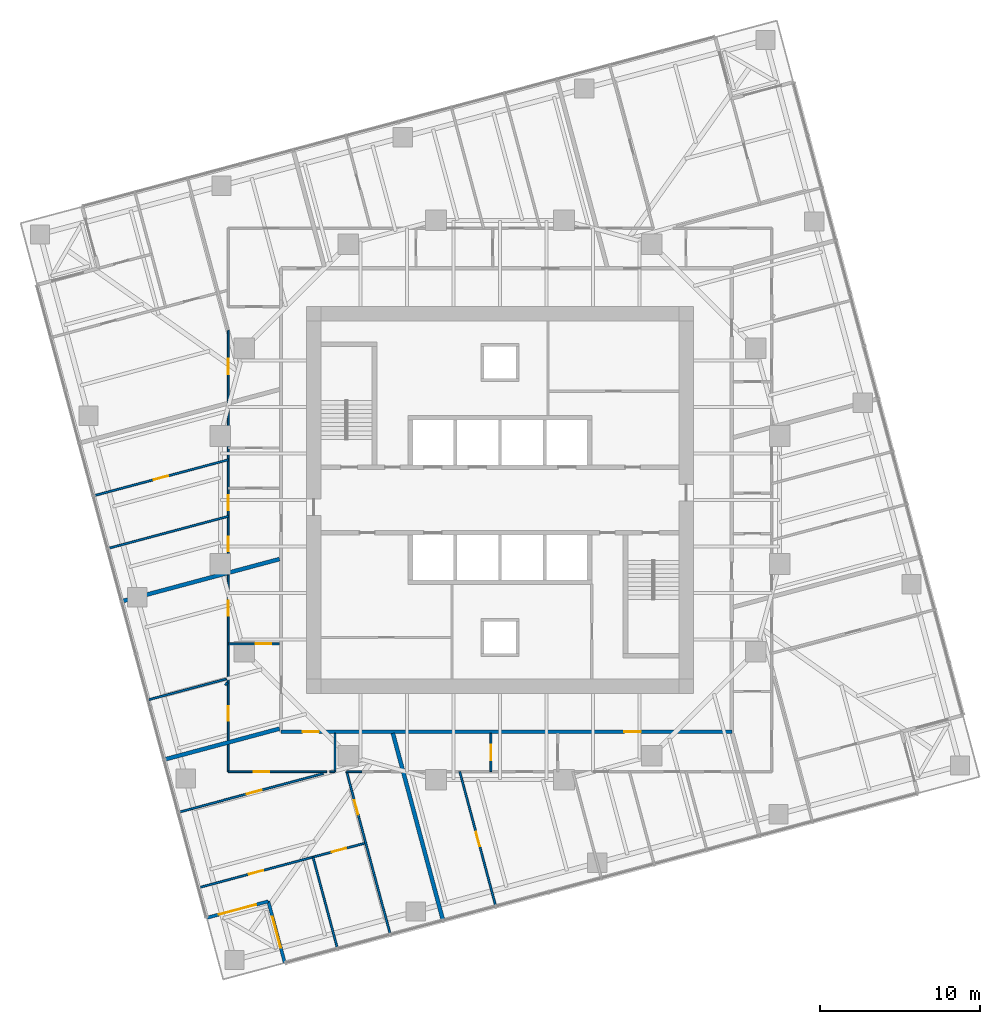
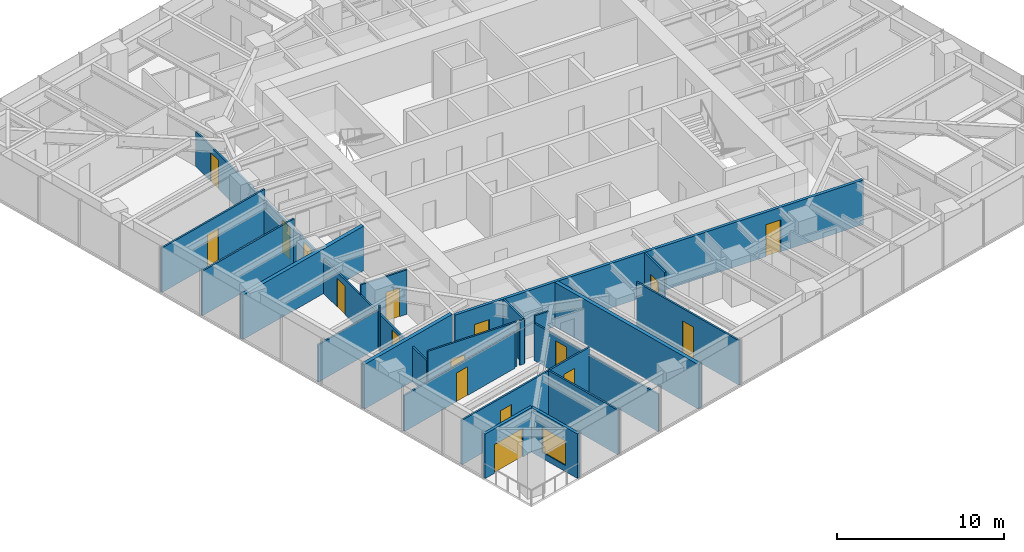
# One storey, part 8 of 14: 22 walls, 17 doors, 1 window, 18 openings.
"""IFC4 building model written with IfcOpenShell, lengths in metres."""

import ifcopenshell
import ifcopenshell.guid

model = None  # the IFC model being written
_history = None  # IfcOwnerHistory: only IFC2X3 demands one
_inside = {}  # id of a spatial element -> (the spatial element, [elements in it])
_under = {}  # id of a project, library or spatial element -> (it, [spatial elements below it])
_declared = {}  # id of a project -> (the project, [libraries it declares])
_typed = {}  # id of a type object -> (the type object, [elements of that type])
_made_of = {}  # id of a material, layer set ... -> (it, [elements and type objects made of it])


def new_model(schema):
    """Start an empty IFC model of exactly this schema.

    Asked for "IFC4X3", IfcOpenShell would pick the latest addendum, in which some entities
    have other attributes; the version numbers below select the first issue.
    IFC2X3 requires an IfcOwnerHistory on every rooted entity: one is made here for all.
    """
    global model, _history
    if schema == "IFC4X3":
        model = ifcopenshell.file(schema_version=(4, 3, 0, 0))
    else:
        model = ifcopenshell.file(schema=schema)
    _inside.clear()
    _under.clear()
    _declared.clear()
    _typed.clear()
    _made_of.clear()
    _history = None
    if model.schema == "IFC2X3":
        org = make("IfcOrganization", Name="unknown")
        user = make(
            "IfcPersonAndOrganization",
            ThePerson=make("IfcPerson", FamilyName="unknown"),
            TheOrganization=org,
        )
        app = make(
            "IfcApplication",
            ApplicationDeveloper=org,
            Version="unknown",
            ApplicationFullName="unknown",
            ApplicationIdentifier="unknown",
        )
        _history = make(
            "IfcOwnerHistory",
            OwningUser=user,
            OwningApplication=app,
            ChangeAction="ADDED",
            CreationDate=0,
        )
    return model


def make(cls, **values):
    """One entity of the class cls with the attributes given. An attribute that is None is left unset."""
    return model.create_entity(
        cls, **{name: value for name, value in values.items() if value is not None}
    )


def rooted(cls, **values):
    """An entity with a GlobalId (a new one), such as an element, a storey or a relation."""
    return make(cls, GlobalId=ifcopenshell.guid.new(), OwnerHistory=_history, **values)


def si_unit(unit_type, name, prefix=None):
    """IfcSIUnit, for example si_unit("LENGTHUNIT", "METRE", prefix="MILLI")."""
    return make("IfcSIUnit", UnitType=unit_type, Prefix=prefix, Name=name)


def assignment(units):
    """IfcUnitAssignment: the units of a project."""
    return None if units is None else make("IfcUnitAssignment", Units=units)


def point(xyz):
    """IfcCartesianPoint."""
    return None if xyz is None else make("IfcCartesianPoint", Coordinates=xyz)


def direction(xyz):
    """IfcDirection."""
    return None if xyz is None else make("IfcDirection", DirectionRatios=xyz)


def frame(location, z_axis=None, x_axis=None):
    """IfcAxis2Placement3D, a coordinate frame: its origin and axes. An axis left out is left unset."""
    return make(
        "IfcAxis2Placement3D",
        Location=point(location),
        Axis=direction(z_axis),
        RefDirection=direction(x_axis),
    )


def frame_2d(location, x_axis=None):
    """IfcAxis2Placement2D, a coordinate frame in the plane: its origin and x axis."""
    return make(
        "IfcAxis2Placement2D", Location=point(location), RefDirection=direction(x_axis)
    )


def origin():
    """The frame at (0, 0, 0) with its axes left unset."""
    return frame((0.0, 0.0, 0.0))


def place(relative_to, where):
    """IfcLocalPlacement: puts the frame where relative to a parent placement (None: the world)."""
    return make(
        "IfcLocalPlacement", PlacementRelTo=relative_to, RelativePlacement=where
    )


def context(
    kind, dimensions, precision=None, world=None, true_north=None, identifier=None
):
    """IfcGeometricRepresentationContext, for example the 3D "Model" context."""
    return make(
        "IfcGeometricRepresentationContext",
        ContextIdentifier=identifier,
        ContextType=kind,
        CoordinateSpaceDimension=dimensions,
        Precision=precision,
        WorldCoordinateSystem=world,
        TrueNorth=true_north,
    )


def subcontext(parent, identifier, kind, view, scale=None):
    """IfcGeometricRepresentationSubContext, for example "Body" below "Model"."""
    return make(
        "IfcGeometricRepresentationSubContext",
        ContextIdentifier=identifier,
        ContextType=kind,
        ParentContext=parent,
        TargetScale=scale,
        TargetView=view,
    )


def project(units=None, contexts=None):
    """IfcProject with its units and contexts."""
    return rooted(
        "IfcProject",
        Name="project",
        RepresentationContexts=contexts,
        UnitsInContext=assignment(units),
    )


def spatial(cls, under=None, at=None, **own):
    """A site, building, storey or space (cls), placed at a placement, below another one or the project."""
    s = rooted(cls, ObjectPlacement=at, **own)
    if under is not None:
        _under.setdefault(under.id(), (under, []))[1].append(s)
    return s


def profile(cls, at=None, kind="AREA", **sizes):
    """A parametric profile (cls). Its sizes go by their IFC names, for example OverallWidth=200.0."""
    return make(cls, ProfileType=kind, Position=at, **sizes)


def rectangle(**sizes):
    """IfcRectangleProfileDef."""
    return profile("IfcRectangleProfileDef", **sizes)


def extrude(swept, where, along, depth):
    """IfcExtrudedAreaSolid: the profile swept, set in the frame where, extruded along a direction by depth."""
    return make(
        "IfcExtrudedAreaSolid",
        SweptArea=swept,
        Position=where,
        ExtrudedDirection=direction(along),
        Depth=depth,
    )


def shape(context_of_items, identifier, shape_type, items):
    """IfcShapeRepresentation: the items that make up one representation, for example the "Body"."""
    return make(
        "IfcShapeRepresentation",
        ContextOfItems=context_of_items,
        RepresentationIdentifier=identifier,
        RepresentationType=shape_type,
        Items=items,
    )


def material(Name=None, Category=None):
    """IfcMaterial."""
    return make("IfcMaterial", Name=Name, Category=Category)


def layer(
    of_material, thickness, ventilated=None, Name=None, Category=None, Priority=None
):
    """IfcMaterialLayer: one layer of a wall or slab, of a material (None: an air gap)."""
    return make(
        "IfcMaterialLayer",
        Material=of_material,
        LayerThickness=thickness,
        IsVentilated=ventilated,
        Name=Name,
        Category=Category,
        Priority=Priority,
    )


def layer_set(layers, Name=None):
    """IfcMaterialLayerSet."""
    return make("IfcMaterialLayerSet", MaterialLayers=layers, LayerSetName=Name)


def made_of(thing, what):
    """Note that an element or type object is made of a material, layer set ...; save() writes the relation."""
    if what is not None:
        _made_of.setdefault(what.id(), (what, []))[1].append(thing)
    return thing


def type_object(cls, material=None, **own):
    """A type object (cls), such as IfcWallType, which elements share."""
    return made_of(rooted(cls, **own), material)


def element(
    cls,
    number,
    at=None,
    inside=None,
    cuts=None,
    type_object=None,
    material=None,
    context=None,
    identifier="Body",
    shape_type=None,
    held_by="IfcProductDefinitionShape",
    body=None,
    shapes=None,
    **own,
):
    """One element of the class cls, such as IfcWall. Its Tag is "e" and its number.

    at: its placement. inside: the storey or other place that contains it. cuts: it is an
    opening in that element (IfcRelVoidsElement). A single representation is given by context,
    identifier, shape_type and body (its items); several are given by shapes. held_by: the class
    of the entity that holds the representations. save() writes the other relations.
    """
    e = rooted(cls, Tag="e%d" % number, ObjectPlacement=at, **own)
    if body is not None:
        shapes = [shape(context, identifier, shape_type, body)]
    if shapes is not None:
        e.Representation = make(held_by, Representations=shapes)
    if inside is not None:
        _inside.setdefault(inside.id(), (inside, []))[1].append(e)
    if cuts is not None:
        rooted(
            "IfcRelVoidsElement", RelatingBuildingElement=cuts, RelatedOpeningElement=e
        )
    if type_object is not None:
        _typed.setdefault(type_object.id(), (type_object, []))[1].append(e)
    return made_of(e, material)


def fill(opening, filler):
    """IfcRelFillsElement: the door or window that sits in an opening."""
    return rooted(
        "IfcRelFillsElement",
        RelatingOpeningElement=opening,
        RelatedBuildingElement=filler,
    )


def aggregate(whole, parts):
    """IfcRelAggregates: a whole, such as a stair, and the parts it consists of."""
    return rooted("IfcRelAggregates", RelatingObject=whole, RelatedObjects=parts)


def save(model, path):
    """Write the relations noted so far, then the file.

    IfcRelAggregates (storeys below a building ...), IfcRelContainedInSpatialStructure (elements
    in a storey), IfcRelDefinesByType, IfcRelAssociatesMaterial and IfcRelDeclares: one each for
    every whole, place, type object, material and project.
    """
    for whole, parts in _under.values():
        aggregate(whole, parts)
    for where, things in _inside.values():
        rooted(
            "IfcRelContainedInSpatialStructure",
            RelatedElements=things,
            RelatingStructure=where,
        )
    for kind, things in _typed.values():
        rooted("IfcRelDefinesByType", RelatedObjects=things, RelatingType=kind)
    for what, things in _made_of.values():
        rooted("IfcRelAssociatesMaterial", RelatedObjects=things, RelatingMaterial=what)
    for by, libraries in _declared.values():
        rooted("IfcRelDeclares", RelatingContext=by, RelatedDefinitions=libraries)
    model.write(path)


model = new_model("IFC4")

# Units and contexts
model_context = context("Model", 3, precision=1e-05, world=origin(), true_north=direction((0.0, 1.0)))
body_context = subcontext(model_context, "Body", "Model", "MODEL_VIEW")
ifc_project = project(units=[si_unit("LENGTHUNIT", "METRE"), si_unit("AREAUNIT", "SQUARE_METRE"), si_unit("VOLUMEUNIT", "CUBIC_METRE"), si_unit("PLANEANGLEUNIT", "RADIAN"), si_unit("MASSUNIT", "GRAM", prefix="KILO")], contexts=[model_context])

# Site, building, storey
site_placement = place(None, origin())
site = spatial("IfcSite", under=ifc_project, at=site_placement, CompositionType="ELEMENT")
building_placement = place(site_placement, origin())
building = spatial("IfcBuilding", under=site, at=building_placement, Name="Torsade Residences", CompositionType="ELEMENT")
storey_placement = place(building_placement, frame((0.0, 0.0, 111.60009765625)))
storey = spatial("IfcBuildingStorey", under=building, at=storey_placement, Name="L30", CompositionType="ELEMENT", Elevation=111.60009765625)

# Wall, openings, doors
ifc_material_1 = material(Name="Plasterboard on steel stud", Category="steel")
ifc_layer_1 = layer(ifc_material_1, 0.199951171875)
ifc_layer_set_1 = layer_set([ifc_layer_1], Name="Plasterboard on steel stud")
wall_type_1 = type_object("IfcWallType", Name="CORRIDOR WALL 200", PredefinedType="PARTITIONING", material=ifc_layer_set_1)
wall_1_placement = place(storey_placement, frame((26.300048828125, 15.5, 0.0), z_axis=(0.0, 0.0, 1.0), x_axis=(1.0, 0.0, 0.0)))
wall_1 = element("IfcWall", 1, at=wall_1_placement, inside=storey, type_object=wall_type_1, Name="Corridor wall L30", PredefinedType="PARTITIONING", context=body_context, shape_type="SweptSolid", body=[
    extrude(rectangle(XDim=28.199951171875, YDim=0.199951171875, at=frame_2d((14.10009765625, 0.0))), origin(), (0.0, 0.0, 1.0), 3.25),
])
opening_1_placement = place(wall_1_placement, frame((21.473876953125, 0.0, 0.0)))
opening_1 = element("IfcOpeningElement", 2, at=opening_1_placement, cuts=wall_1, Name="Opening D01", PredefinedType="OPENING", context=body_context, shape_type="SweptSolid", body=[
    extrude(rectangle(XDim=1.02001953125, YDim=2.340087890625, at=frame_2d((0.510009765625, 1.169921875))), frame((0.0, 0.10986328125, 0.0), z_axis=(0.0, -1.0, 0.0), x_axis=(1.0, 0.0, 0.0)), (0.0, 0.0, 1.0), 0.219970703125),
])
opening_2_placement = place(wall_1_placement, frame((1.35302734375, 0.0, 0.0)))
opening_2 = element("IfcOpeningElement", 3, at=opening_2_placement, cuts=wall_1, Name="Opening D01L", PredefinedType="OPENING", context=body_context, shape_type="SweptSolid", body=[
    extrude(rectangle(XDim=1.02001953125, YDim=2.10009765625, at=frame_2d((0.510009765625, 1.050048828125))), frame((0.0, 0.10986328125, 0.0), z_axis=(0.0, -1.0, 0.0), x_axis=(1.0, 0.0, 0.0)), (0.0, 0.0, 1.0), 0.219970703125),
])
ifc_material_2 = material(Name="Solid-core timber fire door", Category="wood")
door_type_1 = type_object("IfcDoorType", Name="APARTMENT ENTRY DOOR 1020x2100", OperationType="NOTDEFINED", PredefinedType="DOOR", material=ifc_material_2)
door_1_placement = place(opening_2_placement, origin())
door_1 = element("IfcDoor", 4, at=door_1_placement, inside=storey, type_object=door_type_1, Name="Door Residential corridor to Kitchen and dining", OperationType="SINGLE_SWING_LEFT", OverallHeight=2.10009765625, OverallWidth=1.02001953125, PredefinedType="DOOR", context=body_context, shape_type="SweptSolid", body=[
    extrude(rectangle(XDim=1.02001953125, YDim=2.10009765625, at=frame_2d((0.510009765625, 1.050048828125))), frame((0.0, 0.02490234375, 0.0), z_axis=(0.0, -1.0, 0.0), x_axis=(1.0, 0.0, 0.0)), (0.0, 0.0, 1.0), 0.050048828125),
])
fill(opening_2, door_1)
ifc_material_3 = material(Name="Solid-core timber fire door", Category="wood")
door_type_2 = type_object("IfcDoorType", Name="APARTMENT ENTRY DOOR 1020x2340", OperationType="NOTDEFINED", PredefinedType="DOOR", material=ifc_material_3)
door_2_placement = place(opening_1_placement, origin())
door_2 = element("IfcDoor", 5, at=door_2_placement, inside=storey, type_object=door_type_2, Name="Door Residential corridor to Kitchen and dining", OperationType="SINGLE_SWING_LEFT", OverallHeight=2.340087890625, OverallWidth=1.02001953125, PredefinedType="DOOR", context=body_context, shape_type="SweptSolid", body=[
    extrude(rectangle(XDim=1.02001953125, YDim=2.340087890625, at=frame_2d((0.510009765625, 1.169921875))), frame((0.0, 0.02490234375, 0.0), z_axis=(0.0, -1.0, 0.0), x_axis=(1.0, 0.0, 0.0)), (0.0, 0.0, 1.0), 0.050048828125),
])
fill(opening_1, door_2)

# Wall, opening, door
ifc_material_4 = material(Name="Plasterboard on steel stud", Category="steel")
ifc_layer_2 = layer(ifc_material_4, 0.1201171875)
ifc_layer_set_2 = layer_set([ifc_layer_2], Name="Plasterboard on steel stud")
wall_type_2 = type_object("IfcWallType", Name="PARTITION 120", PredefinedType="PARTITIONING", material=ifc_layer_set_2)
wall_2_placement = place(storey_placement, frame((23.0, 21.001953125, 0.0), z_axis=(0.0, 0.0, 1.0), x_axis=(1.0, 0.0, 0.0)))
wall_2 = element("IfcWall", 6, at=wall_2_placement, inside=storey, type_object=wall_type_2, Name="Partition L30", PredefinedType="PARTITIONING", context=body_context, shape_type="SweptSolid", body=[
    extrude(rectangle(XDim=3.199951171875, YDim=0.1201171875, at=frame_2d((1.60009765625, 0.0))), origin(), (0.0, 0.0, 1.0), 3.25),
])
opening_3_placement = place(wall_2_placement, frame((1.719970703125, 0.0, 0.0)))
opening_3 = element("IfcOpeningElement", 7, at=opening_3_placement, cuts=wall_2, Name="Opening D05", PredefinedType="OPENING", context=body_context, shape_type="SweptSolid", body=[
    extrude(rectangle(XDim=0.9599609375, YDim=2.10009765625, at=frame_2d((0.47998046875, 1.050048828125))), frame((0.0, 0.070068359375, 0.0), z_axis=(0.0, -1.0, 0.0), x_axis=(1.0, 0.0, 0.0)), (0.0, 0.0, 1.0), 0.14013671875),
])
ifc_material_5 = material(Name="Hollow-core timber door in a steel cavity frame", Category="steel")
door_type_3 = type_object("IfcDoorType", Name="BATHROOM CAVITY SLIDING DOOR 960", OperationType="SLIDING_TO_LEFT", PredefinedType="DOOR", material=ifc_material_5)
door_3_placement = place(opening_3_placement, origin())
door_3 = element("IfcDoor", 8, at=door_3_placement, inside=storey, type_object=door_type_3, Name="Door Kitchen and dining to Bathroom", OperationType="SLIDING_TO_LEFT", OverallHeight=2.10009765625, OverallWidth=0.9599609375, PredefinedType="DOOR", context=body_context, shape_type="SweptSolid", body=[
    extrude(rectangle(XDim=0.9599609375, YDim=2.10009765625, at=frame_2d((0.47998046875, 1.050048828125))), frame((0.0, 0.02490234375, 0.0), z_axis=(0.0, -1.0, 0.0), x_axis=(1.0, 0.0, 0.0)), (0.0, 0.0, 1.0), 0.050048828125),
])
fill(opening_3, door_3)

# Wall, openings, doors
wall_3_placement = place(storey_placement, frame((23.0, 13.0, 0.0), z_axis=(0.0, 0.0, 1.0), x_axis=(0.0, 1.0, 0.0)))
wall_3 = element("IfcWall", 9, at=wall_3_placement, inside=storey, type_object=wall_type_2, Name="Partition L30", PredefinedType="PARTITIONING", context=body_context, shape_type="SweptSolid", body=[
    extrude(rectangle(XDim=27.6396484375, YDim=0.1201171875, at=frame_2d((13.81982421875, 0.0))), origin(), (0.0, 0.0, 1.0), 2.5498046875),
])
opening_4_placement = place(wall_3_placement, frame((3.19189453125, 0.0, 0.0)))
opening_4 = element("IfcOpeningElement", 10, at=opening_4_placement, cuts=wall_3, Name="Opening D02", PredefinedType="OPENING", context=body_context, shape_type="SweptSolid", body=[
    extrude(rectangle(XDim=0.919921875, YDim=2.340087890625, at=frame_2d((0.4599609375, 1.169921875))), frame((0.0, 0.070068359375, 0.0), z_axis=(0.0, -1.0, 0.0), x_axis=(1.0, 0.0, 0.0)), (0.0, 0.0, 1.0), 0.14013671875),
])
opening_5_placement = place(wall_3_placement, frame((13.779296875, 0.0, 0.0)))
opening_5 = element("IfcOpeningElement", 11, at=opening_5_placement, cuts=wall_3, Name="Opening D02", PredefinedType="OPENING", context=body_context, shape_type="SweptSolid", body=[
    extrude(rectangle(XDim=0.919921875, YDim=2.340087890625, at=frame_2d((0.4599609375, 1.169921875))), frame((0.0, 0.070068359375, 0.0), z_axis=(0.0, -1.0, 0.0), x_axis=(1.0, 0.0, 0.0)), (0.0, 0.0, 1.0), 0.14013671875),
])
opening_6_placement = place(wall_3_placement, frame((16.373779296875, 0.0, 0.0)))
opening_6 = element("IfcOpeningElement", 12, at=opening_6_placement, cuts=wall_3, Name="Opening D02", PredefinedType="OPENING", context=body_context, shape_type="SweptSolid", body=[
    extrude(rectangle(XDim=0.919921875, YDim=2.340087890625, at=frame_2d((0.4599609375, 1.169921875))), frame((0.0, 0.070068359375, 0.0), z_axis=(0.0, -1.0, 0.0), x_axis=(1.0, 0.0, 0.0)), (0.0, 0.0, 1.0), 0.14013671875),
])
opening_7_placement = place(wall_3_placement, frame((9.743408203125, 0.0, 0.0)))
opening_7 = element("IfcOpeningElement", 13, at=opening_7_placement, cuts=wall_3, Name="Opening D05", PredefinedType="OPENING", context=body_context, shape_type="SweptSolid", body=[
    extrude(rectangle(XDim=0.9599609375, YDim=2.10009765625, at=frame_2d((0.47998046875, 1.050048828125))), frame((0.0, 0.070068359375, 0.0), z_axis=(0.0, -1.0, 0.0), x_axis=(1.0, 0.0, 0.0)), (0.0, 0.0, 1.0), 0.14013671875),
])
opening_8_placement = place(wall_3_placement, frame((24.87939453125, 0.0, 0.0)))
opening_8 = element("IfcOpeningElement", 14, at=opening_8_placement, cuts=wall_3, Name="Opening D05", PredefinedType="OPENING", context=body_context, shape_type="SweptSolid", body=[
    extrude(rectangle(XDim=0.9599609375, YDim=2.10009765625, at=frame_2d((0.47998046875, 1.050048828125))), frame((0.0, 0.070068359375, 0.0), z_axis=(0.0, -1.0, 0.0), x_axis=(1.0, 0.0, 0.0)), (0.0, 0.0, 1.0), 0.14013671875),
])
door_4_placement = place(opening_7_placement, origin())
door_4 = element("IfcDoor", 15, at=door_4_placement, inside=storey, type_object=door_type_3, Name="Door Bathroom to Living room", OperationType="SLIDING_TO_LEFT", OverallHeight=2.10009765625, OverallWidth=0.9599609375, PredefinedType="DOOR", context=body_context, shape_type="SweptSolid", body=[
    extrude(rectangle(XDim=0.9599609375, YDim=2.10009765625, at=frame_2d((0.47998046875, 1.050048828125))), frame((0.0, 0.02490234375, 0.0), z_axis=(0.0, -1.0, 0.0), x_axis=(1.0, 0.0, 0.0)), (0.0, 0.0, 1.0), 0.050048828125),
])
fill(opening_7, door_4)
door_5_placement = place(opening_8_placement, origin())
door_5 = element("IfcDoor", 16, at=door_5_placement, inside=storey, type_object=door_type_3, Name="Door Bathroom to Living room", OperationType="SLIDING_TO_LEFT", OverallHeight=2.10009765625, OverallWidth=0.9599609375, PredefinedType="DOOR", context=body_context, shape_type="SweptSolid", body=[
    extrude(rectangle(XDim=0.9599609375, YDim=2.10009765625, at=frame_2d((0.47998046875, 1.050048828125))), frame((0.0, 0.02490234375, 0.0), z_axis=(0.0, -1.0, 0.0), x_axis=(1.0, 0.0, 0.0)), (0.0, 0.0, 1.0), 0.050048828125),
])
fill(opening_8, door_5)
ifc_material_6 = material(Name="Hollow-core timber door", Category="wood")
door_type_4 = type_object("IfcDoorType", Name="INTERNAL DOOR 920x2340", OperationType="NOTDEFINED", PredefinedType="DOOR", material=ifc_material_6)
door_6_placement = place(opening_4_placement, origin())
door_6 = element("IfcDoor", 17, at=door_6_placement, inside=storey, type_object=door_type_4, Name="Door Kitchen and dining to Bedroom 1", OperationType="SINGLE_SWING_RIGHT", OverallHeight=2.340087890625, OverallWidth=0.919921875, PredefinedType="DOOR", context=body_context, shape_type="SweptSolid", body=[
    extrude(rectangle(XDim=0.919921875, YDim=2.340087890625, at=frame_2d((0.4599609375, 1.169921875))), frame((0.0, 0.02490234375, 0.0), z_axis=(0.0, -1.0, 0.0), x_axis=(1.0, 0.0, 0.0)), (0.0, 0.0, 1.0), 0.050048828125),
])
fill(opening_4, door_6)
door_7_placement = place(opening_5_placement, origin())
door_7 = element("IfcDoor", 18, at=door_7_placement, inside=storey, type_object=door_type_4, Name="Door Kitchen and dining to Bedroom 2", OperationType="SINGLE_SWING_LEFT", OverallHeight=2.340087890625, OverallWidth=0.919921875, PredefinedType="DOOR", context=body_context, shape_type="SweptSolid", body=[
    extrude(rectangle(XDim=0.919921875, YDim=2.340087890625, at=frame_2d((0.4599609375, 1.169921875))), frame((0.0, 0.02490234375, 0.0), z_axis=(0.0, -1.0, 0.0), x_axis=(1.0, 0.0, 0.0)), (0.0, 0.0, 1.0), 0.050048828125),
])
fill(opening_5, door_7)
door_8_placement = place(opening_6_placement, origin())
door_8 = element("IfcDoor", 19, at=door_8_placement, inside=storey, type_object=door_type_4, Name="Door Kitchen and dining to Bedroom 1", OperationType="SINGLE_SWING_LEFT", OverallHeight=2.340087890625, OverallWidth=0.919921875, PredefinedType="DOOR", context=body_context, shape_type="SweptSolid", body=[
    extrude(rectangle(XDim=0.919921875, YDim=2.340087890625, at=frame_2d((0.4599609375, 1.169921875))), frame((0.0, 0.02490234375, 0.0), z_axis=(0.0, -1.0, 0.0), x_axis=(1.0, 0.0, 0.0)), (0.0, 0.0, 1.0), 0.050048828125),
])
fill(opening_6, door_8)

# Walls
wall_4_placement = place(storey_placement, frame((22.813232421875, 18.42041015625, 0.0), z_axis=(0.0, 0.0, 1.0), x_axis=(0.609039064162, 0.793140226142, 0.0)))
element("IfcWall", 20, at=wall_4_placement, inside=storey, type_object=wall_type_2, Name="Partition L30", PredefinedType="PARTITIONING", context=body_context, shape_type="SweptSolid", body=[
    extrude(rectangle(XDim=0.2109375, YDim=0.1201171875, at=frame_2d((0.10546875, 0.0))), origin(), (0.0, 0.0, 1.0), 3.25),
])
wall_5_placement = place(storey_placement, frame((22.883544921875, 18.80517578125, 0.0), z_axis=(0.0, 0.0, 1.0), x_axis=(-0.965921615375, -0.258834759935, 0.0)))
element("IfcWall", 21, at=wall_5_placement, inside=storey, type_object=wall_type_2, Name="Partition L30", PredefinedType="PARTITIONING", context=body_context, shape_type="SweptSolid", body=[
    extrude(rectangle(XDim=5.029296875, YDim=0.1201171875, at=frame_2d((2.5146484375, 0.0))), origin(), (0.0, 0.0, 1.0), 2.721923828125),
])
wall_6_placement = place(storey_placement, frame((29.676025390625, 15.39990234375, 0.0), z_axis=(0.0, 0.0, 1.0), x_axis=(0.0, -1.0, 0.0)))
element("IfcWall", 22, at=wall_6_placement, inside=storey, type_object=wall_type_2, Name="Partition L30", PredefinedType="PARTITIONING", context=body_context, shape_type="SweptSolid", body=[
    extrude(rectangle(XDim=2.39990234375, YDim=0.1201171875, at=frame_2d((1.199951171875, 0.0))), origin(), (0.0, 0.0, 1.0), 3.25),
])

# Wall, opening, door
wall_7_placement = place(storey_placement, frame((29.147216796875, 13.0, 0.0), z_axis=(0.0, 0.0, 1.0), x_axis=(-1.0, 0.0, 0.0)))
wall_7 = element("IfcWall", 23, at=wall_7_placement, inside=storey, type_object=wall_type_2, Name="Partition L30", PredefinedType="PARTITIONING", context=body_context, shape_type="SweptSolid", body=[
    extrude(rectangle(XDim=6.147216796875, YDim=0.1201171875, at=frame_2d((3.07373046875, 0.0))), origin(), (0.0, 0.0, 1.0), 3.25),
])
opening_9_placement = place(wall_7_placement, frame((3.591064453125, 0.0, 0.0)))
opening_9 = element("IfcOpeningElement", 24, at=opening_9_placement, cuts=wall_7, Name="Opening D05", PredefinedType="OPENING", context=body_context, shape_type="SweptSolid", body=[
    extrude(rectangle(XDim=0.9599609375, YDim=2.10009765625, at=frame_2d((0.47998046875, 1.050048828125))), frame((0.0, 0.070068359375, 0.0), z_axis=(0.0, -1.0, 0.0), x_axis=(1.0, 0.0, 0.0)), (0.0, 0.0, 1.0), 0.14013671875),
])
door_9_placement = place(opening_9_placement, origin())
door_9 = element("IfcDoor", 25, at=door_9_placement, inside=storey, type_object=door_type_3, Name="Door Kitchen and dining to Bathroom", OperationType="SLIDING_TO_LEFT", OverallHeight=2.10009765625, OverallWidth=0.9599609375, PredefinedType="DOOR", context=body_context, shape_type="SweptSolid", body=[
    extrude(rectangle(XDim=0.9599609375, YDim=2.10009765625, at=frame_2d((0.47998046875, 1.050048828125))), frame((0.0, 0.02490234375, 0.0), z_axis=(0.0, -1.0, 0.0), x_axis=(1.0, 0.0, 0.0)), (0.0, 0.0, 1.0), 0.050048828125),
])
fill(opening_9, door_9)

wall_8_placement = place(storey_placement, frame((30.406494140625, 13.0, 0.0), z_axis=(0.0, 0.0, 1.0), x_axis=(0.258797552287, -0.965931585015, 0.0)))
wall_8 = element("IfcWall", 26, at=wall_8_placement, inside=storey, type_object=wall_type_2, Name="Partition L30", PredefinedType="PARTITIONING", context=body_context, shape_type="SweptSolid", body=[
    extrude(rectangle(XDim=10.522216796875, YDim=0.1201171875, at=frame_2d((5.26123046875, 0.0))), origin(), (0.0, 0.0, 1.0), 2.721923828125),
])
opening_10_placement = place(wall_8_placement, frame((1.846435546875, 0.0, 0.0)))
opening_10 = element("IfcOpeningElement", 27, at=opening_10_placement, cuts=wall_8, Name="Opening D02", PredefinedType="OPENING", context=body_context, shape_type="SweptSolid", body=[
    extrude(rectangle(XDim=0.919921875, YDim=2.340087890625, at=frame_2d((0.4599609375, 1.169921875))), frame((0.0, 0.070068359375, 0.0), z_axis=(0.0, -1.0, 0.0), x_axis=(1.0, 0.0, 0.0)), (0.0, 0.0, 1.0), 0.14013671875),
])
door_10_placement = place(opening_10_placement, origin())
door_10 = element("IfcDoor", 28, at=door_10_placement, inside=storey, type_object=door_type_4, Name="Door Living room to Bedroom 1", OperationType="SINGLE_SWING_LEFT", OverallHeight=2.340087890625, OverallWidth=0.919921875, PredefinedType="DOOR", context=body_context, shape_type="SweptSolid", body=[
    extrude(rectangle(XDim=0.919921875, YDim=2.340087890625, at=frame_2d((0.4599609375, 1.169921875))), frame((0.0, 0.02490234375, 0.0), z_axis=(0.0, -1.0, 0.0), x_axis=(1.0, 0.0, 0.0)), (0.0, 0.0, 1.0), 0.050048828125),
])
fill(opening_10, door_10)

# Wall, openings, doors
wall_9_placement = place(storey_placement, frame((31.60009765625, 8.54443359375, 0.0), z_axis=(0.0, 0.0, 1.0), x_axis=(-0.965927151587, -0.258814098973, 0.0)))
wall_9 = element("IfcWall", 29, at=wall_9_placement, inside=storey, type_object=wall_type_2, Name="Partition L30", PredefinedType="PARTITIONING", context=body_context, shape_type="SweptSolid", body=[
    extrude(rectangle(XDim=10.793212890625, YDim=0.1201171875, at=frame_2d((5.396484375, 0.0))), origin(), (0.0, 0.0, 1.0), 3.25),
])
opening_11_placement = place(wall_9_placement, frame((6.639892578125, 0.0, 0.0)))
opening_11 = element("IfcOpeningElement", 30, at=opening_11_placement, cuts=wall_9, Name="Opening D02", PredefinedType="OPENING", context=body_context, shape_type="SweptSolid", body=[
    extrude(rectangle(XDim=0.919921875, YDim=2.340087890625, at=frame_2d((0.4599609375, 1.169921875))), frame((0.0, 0.070068359375, 0.0), z_axis=(0.0, -1.0, 0.0), x_axis=(1.0, 0.0, 0.0)), (0.0, 0.0, 1.0), 0.14013671875),
])
opening_12_placement = place(wall_9_placement, frame((1.273193359375, 0.0, 0.0)))
opening_12 = element("IfcOpeningElement", 31, at=opening_12_placement, cuts=wall_9, Name="Opening D02", PredefinedType="OPENING", context=body_context, shape_type="SweptSolid", body=[
    extrude(rectangle(XDim=0.919921875, YDim=2.340087890625, at=frame_2d((0.4599609375, 1.169921875))), frame((0.0, 0.070068359375, 0.0), z_axis=(0.0, -1.0, 0.0), x_axis=(1.0, 0.0, 0.0)), (0.0, 0.0, 1.0), 0.14013671875),
])
door_11_placement = place(opening_11_placement, origin())
door_11 = element("IfcDoor", 32, at=door_11_placement, inside=storey, type_object=door_type_4, Name="Door Living room to Bedroom 2", OperationType="SINGLE_SWING_LEFT", OverallHeight=2.340087890625, OverallWidth=0.919921875, PredefinedType="DOOR", context=body_context, shape_type="SweptSolid", body=[
    extrude(rectangle(XDim=0.919921875, YDim=2.340087890625, at=frame_2d((0.4599609375, 1.169921875))), frame((0.0, 0.02490234375, 0.0), z_axis=(0.0, -1.0, 0.0), x_axis=(1.0, 0.0, 0.0)), (0.0, 0.0, 1.0), 0.050048828125),
])
fill(opening_11, door_11)
door_12_placement = place(opening_12_placement, origin())
door_12 = element("IfcDoor", 33, at=door_12_placement, inside=storey, type_object=door_type_4, Name="Door Living room to Bedroom 3", OperationType="SINGLE_SWING_RIGHT", OverallHeight=2.340087890625, OverallWidth=0.919921875, PredefinedType="DOOR", context=body_context, shape_type="SweptSolid", body=[
    extrude(rectangle(XDim=0.919921875, YDim=2.340087890625, at=frame_2d((0.4599609375, 1.169921875))), frame((0.0, 0.02490234375, 0.0), z_axis=(0.0, -1.0, 0.0), x_axis=(1.0, 0.0, 0.0)), (0.0, 0.0, 1.0), 0.050048828125),
])
fill(opening_12, door_12)

# Wall, opening, door
wall_10_placement = place(storey_placement, frame((19.91064453125, 10.46826171875, 0.0), z_axis=(0.0, 0.0, 1.0), x_axis=(0.965927203676, 0.25881390457, 0.0)))
wall_10 = element("IfcWall", 34, at=wall_10_placement, inside=storey, type_object=wall_type_2, Name="Partition L30", PredefinedType="PARTITIONING", context=body_context, shape_type="SweptSolid", body=[
    extrude(rectangle(XDim=9.356689453125, YDim=0.1201171875, at=frame_2d((4.67822265625, 0.0))), origin(), (0.0, 0.0, 1.0), 2.637939453125),
])
opening_13_placement = place(wall_10_placement, frame((4.390869140625, 0.0, 0.0)))
opening_13 = element("IfcOpeningElement", 35, at=opening_13_placement, cuts=wall_10, Name="Opening D05", PredefinedType="OPENING", context=body_context, shape_type="SweptSolid", body=[
    extrude(rectangle(XDim=0.9599609375, YDim=2.10009765625, at=frame_2d((0.47998046875, 1.050048828125))), frame((0.0, 0.070068359375, 0.0), z_axis=(0.0, -1.0, 0.0), x_axis=(1.0, 0.0, 0.0)), (0.0, 0.0, 1.0), 0.14013671875),
])
door_13_placement = place(opening_13_placement, origin())
door_13 = element("IfcDoor", 36, at=door_13_placement, inside=storey, type_object=door_type_3, Name="Door Bathroom to Living room", OperationType="SLIDING_TO_LEFT", OverallHeight=2.10009765625, OverallWidth=0.9599609375, PredefinedType="DOOR", context=body_context, shape_type="SweptSolid", body=[
    extrude(rectangle(XDim=0.9599609375, YDim=2.10009765625, at=frame_2d((0.47998046875, 1.050048828125))), frame((0.0, 0.02490234375, 0.0), z_axis=(0.0, -1.0, 0.0), x_axis=(1.0, 0.0, 0.0)), (0.0, 0.0, 1.0), 0.050048828125),
])
fill(opening_13, door_13)

# Wall
wall_11_placement = place(storey_placement, frame((28.300048828125, 7.66015625, 0.0), z_axis=(0.0, 0.0, 1.0), x_axis=(0.25882212607, -0.965925000741, 0.0)))
element("IfcWall", 37, at=wall_11_placement, inside=storey, type_object=wall_type_2, Name="Partition L30", PredefinedType="PARTITIONING", context=body_context, shape_type="SweptSolid", body=[
    extrude(rectangle(XDim=5.90966796875, YDim=0.1201171875, at=frame_2d((2.954833984375, 0.0))), origin(), (0.0, 0.0, 1.0), 3.25),
])

# Wall, opening, door
wall_12_placement = place(storey_placement, frame((39.431884765625, 15.39990234375, 0.0), z_axis=(0.0, 0.0, 1.0), x_axis=(0.0, -1.0, 0.0)))
wall_12 = element("IfcWall", 38, at=wall_12_placement, inside=storey, type_object=wall_type_2, Name="Partition L30", PredefinedType="PARTITIONING", context=body_context, shape_type="SweptSolid", body=[
    extrude(rectangle(XDim=2.39990234375, YDim=0.1201171875, at=frame_2d((1.199951171875, 0.0))), origin(), (0.0, 0.0, 1.0), 3.25),
])
opening_14_placement = place(wall_12_placement, frame((0.719970703125, 0.0, 0.0)))
opening_14 = element("IfcOpeningElement", 39, at=opening_14_placement, cuts=wall_12, Name="Opening D05", PredefinedType="OPENING", context=body_context, shape_type="SweptSolid", body=[
    extrude(rectangle(XDim=0.9599609375, YDim=2.10009765625, at=frame_2d((0.47998046875, 1.050048828125))), frame((0.0, 0.070068359375, 0.0), z_axis=(0.0, -1.0, 0.0), x_axis=(1.0, 0.0, 0.0)), (0.0, 0.0, 1.0), 0.14013671875),
])
door_14_placement = place(opening_14_placement, origin())
door_14 = element("IfcDoor", 40, at=door_14_placement, inside=storey, type_object=door_type_3, Name="Door Ensuite to Bathroom", OperationType="SLIDING_TO_LEFT", OverallHeight=2.10009765625, OverallWidth=0.9599609375, PredefinedType="DOOR", context=body_context, shape_type="SweptSolid", body=[
    extrude(rectangle(XDim=0.9599609375, YDim=2.10009765625, at=frame_2d((0.47998046875, 1.050048828125))), frame((0.0, 0.02490234375, 0.0), z_axis=(0.0, -1.0, 0.0), x_axis=(1.0, 0.0, 0.0)), (0.0, 0.0, 1.0), 0.050048828125),
])
fill(opening_14, door_14)

wall_13_placement = place(storey_placement, frame((39.730224609375, 4.604736328125, 0.0), z_axis=(0.0, 0.0, 1.0), x_axis=(-0.258819860698, 0.965925607751, 0.0)))
wall_13 = element("IfcWall", 41, at=wall_13_placement, inside=storey, type_object=wall_type_2, Name="Partition L30", PredefinedType="PARTITIONING", context=body_context, shape_type="SweptSolid", body=[
    extrude(rectangle(XDim=8.69140625, YDim=0.1201171875, at=frame_2d((4.345703125, 0.0))), origin(), (0.0, 0.0, 1.0), 3.25),
])
opening_15_placement = place(wall_13_placement, frame((3.86572265625, 0.0, 0.0)))
opening_15 = element("IfcOpeningElement", 42, at=opening_15_placement, cuts=wall_13, Name="Opening D02", PredefinedType="OPENING", context=body_context, shape_type="SweptSolid", body=[
    extrude(rectangle(XDim=0.919921875, YDim=2.340087890625, at=frame_2d((0.4599609375, 1.169921875))), frame((0.0, 0.070068359375, 0.0), z_axis=(0.0, -1.0, 0.0), x_axis=(1.0, 0.0, 0.0)), (0.0, 0.0, 1.0), 0.14013671875),
])
door_15_placement = place(opening_15_placement, origin())
door_15 = element("IfcDoor", 43, at=door_15_placement, inside=storey, type_object=door_type_4, Name="Door Living room to Bedroom 1", OperationType="SINGLE_SWING_RIGHT", OverallHeight=2.340087890625, OverallWidth=0.919921875, PredefinedType="DOOR", context=body_context, shape_type="SweptSolid", body=[
    extrude(rectangle(XDim=0.919921875, YDim=2.340087890625, at=frame_2d((0.4599609375, 1.169921875))), frame((0.0, 0.02490234375, 0.0), z_axis=(0.0, -1.0, 0.0), x_axis=(1.0, 0.0, 0.0)), (0.0, 0.0, 1.0), 0.050048828125),
])
fill(opening_15, door_15)

wall_14_placement = place(storey_placement, frame((23.0, 32.519287109375, 0.0), z_axis=(0.0, 0.0, 1.0), x_axis=(-0.965925607751, -0.258819860698, 0.0)))
wall_14 = element("IfcWall", 44, at=wall_14_placement, inside=storey, type_object=wall_type_2, Name="Partition L30", PredefinedType="PARTITIONING", context=body_context, shape_type="SweptSolid", body=[
    extrude(rectangle(XDim=8.69140625, YDim=0.1201171875, at=frame_2d((4.345703125, 0.0))), origin(), (0.0, 0.0, 1.0), 3.25),
])
opening_16_placement = place(wall_14_placement, frame((3.90576171875, 0.0, 0.0)))
opening_16 = element("IfcOpeningElement", 45, at=opening_16_placement, cuts=wall_14, Name="Opening D02", PredefinedType="OPENING", context=body_context, shape_type="SweptSolid", body=[
    extrude(rectangle(XDim=0.919921875, YDim=2.340087890625, at=frame_2d((0.4599609375, 1.169921875))), frame((0.0, 0.070068359375, 0.0), z_axis=(0.0, -1.0, 0.0), x_axis=(1.0, 0.0, 0.0)), (0.0, 0.0, 1.0), 0.14013671875),
])
door_16_placement = place(opening_16_placement, origin())
door_16 = element("IfcDoor", 46, at=door_16_placement, inside=storey, type_object=door_type_4, Name="Door Bedroom 1 to Living room", OperationType="SINGLE_SWING_RIGHT", OverallHeight=2.340087890625, OverallWidth=0.919921875, PredefinedType="DOOR", context=body_context, shape_type="SweptSolid", body=[
    extrude(rectangle(XDim=0.919921875, YDim=2.340087890625, at=frame_2d((0.4599609375, 1.169921875))), frame((0.0, 0.02490234375, 0.0), z_axis=(0.0, -1.0, 0.0), x_axis=(1.0, 0.0, 0.0)), (0.0, 0.0, 1.0), 0.050048828125),
])
fill(opening_16, door_16)

# Walls
wall_15_placement = place(storey_placement, frame((23.0, 28.98193359375, 0.0), z_axis=(0.0, 0.0, 1.0), x_axis=(-0.965927309482, -0.258813509689, 0.0)))
element("IfcWall", 47, at=wall_15_placement, inside=storey, type_object=wall_type_2, Name="Partition L30", PredefinedType="PARTITIONING", context=body_context, shape_type="SweptSolid", body=[
    extrude(rectangle(XDim=7.775634765625, YDim=0.1201171875, at=frame_2d((3.8876953125, 0.0))), origin(), (0.0, 0.0, 1.0), 3.25),
])
wall_16_placement = place(storey_placement, frame((29.676025390625, 13.0, 0.0), z_axis=(0.0, 0.0, 1.0), x_axis=(-1.0, 0.0, 0.0)))
element("IfcWall", 48, at=wall_16_placement, inside=storey, type_object=wall_type_2, Name="Partition L30", PredefinedType="PARTITIONING", context=body_context, shape_type="SweptSolid", body=[
    extrude(rectangle(XDim=0.31689453125, YDim=0.1201171875, at=frame_2d((0.158447265625, 0.0))), origin(), (0.0, 0.0, 1.0), 3.25),
])
wall_17_placement = place(storey_placement, frame((31.353515625, 13.0, 0.0), z_axis=(0.0, 0.0, 1.0), x_axis=(-1.0, 0.0, 0.0)))
element("IfcWall", 49, at=wall_17_placement, inside=storey, type_object=wall_type_2, Name="Partition L30", PredefinedType="PARTITIONING", context=body_context, shape_type="SweptSolid", body=[
    extrude(rectangle(XDim=0.947021484375, YDim=0.1201171875, at=frame_2d((0.4736328125, 0.0))), origin(), (0.0, 0.0, 1.0), 3.25),
])
ifc_material_7 = material(Name="Masonry-lined stud party wall", Category="masonry")
ifc_layer_3 = layer(ifc_material_7, 0.25)
ifc_layer_set_3 = layer_set([ifc_layer_3], Name="Masonry-lined stud party wall")
wall_type_3 = type_object("IfcWallType", Name="PARTY WALL 250", PredefinedType="PARTITIONING", material=ifc_layer_set_3)
wall_18_placement = place(storey_placement, frame((36.4404296875, 3.681884765625, 0.0), z_axis=(0.0, 0.0, 1.0), x_axis=(-0.258824223352, 0.965924438766, 0.0)))
element("IfcWall", 50, at=wall_18_placement, inside=storey, type_object=wall_type_3, Name="Party wall L30", PredefinedType="PARTITIONING", context=body_context, shape_type="SweptSolid", body=[
    extrude(rectangle(XDim=12.137939453125, YDim=0.25, at=frame_2d((6.06884765625, 0.0))), origin(), (0.0, 0.0, 1.0), 3.25),
])
wall_19_placement = place(storey_placement, frame((16.334716796875, 23.658935546875, 0.0), z_axis=(0.0, 0.0, 1.0), x_axis=(0.965927365002, 0.258813302479, 0.0)))
element("IfcWall", 51, at=wall_19_placement, inside=storey, type_object=wall_type_3, Name="Party wall L30", PredefinedType="PARTITIONING", context=body_context, shape_type="SweptSolid", body=[
    extrude(rectangle(XDim=10.2197265625, YDim=0.25, at=frame_2d((5.10986328125, 0.0))), origin(), (0.0, 0.0, 1.0), 3.25),
])
wall_20_placement = place(storey_placement, frame((18.98779296875, 13.75830078125, 0.0), z_axis=(0.0, 0.0, 1.0), x_axis=(0.965929532284, 0.258805213744, 0.0)))
element("IfcWall", 52, at=wall_20_placement, inside=storey, type_object=wall_type_3, Name="Party wall L30", PredefinedType="PARTITIONING", context=body_context, shape_type="SweptSolid", body=[
    extrude(rectangle(XDim=7.47314453125, YDim=0.25, at=frame_2d((3.736572265625, 0.0))), origin(), (0.0, 0.0, 1.0), 3.25),
])

# Wall, opening, door
ifc_material_8 = material(Name="Stone-faced precast concrete 40 MPa panel", Category="masonry")
ifc_layer_4 = layer(ifc_material_8, 0.199951171875)
ifc_layer_set_4 = layer_set([ifc_layer_4], Name="Stone-faced precast concrete 40 MPa panel")
wall_type_4 = type_object("IfcWallType", Name="TERRACE WALL 200", PredefinedType="SOLIDWALL", material=ifc_layer_set_4)
wall_21_placement = place(storey_placement, frame((21.640625, 3.857421875, 0.0), z_axis=(0.0, 0.0, 1.0), x_axis=(0.965919172068, 0.258843877716, 0.0)))
wall_21 = element("IfcWall", 53, at=wall_21_placement, inside=storey, type_object=wall_type_4, Name="Terrace wall L30 11", PredefinedType="SOLIDWALL", context=body_context, shape_type="SweptSolid", body=[
    extrude(rectangle(XDim=4.0, YDim=0.199951171875, at=frame_2d((2.0, 0.0))), origin(), (0.0, 0.0, 1.0), 3.25),
])
opening_17_placement = place(wall_21_placement, frame((0.800048828125, 0.0, 0.0)))
opening_17 = element("IfcOpeningElement", 54, at=opening_17_placement, cuts=wall_21, Name="Opening D10A", PredefinedType="OPENING", context=body_context, shape_type="SweptSolid", body=[
    extrude(rectangle(XDim=2.39990234375, YDim=2.10009765625, at=frame_2d((1.199951171875, 1.050048828125))), frame((0.0, 0.10986328125, 0.0), z_axis=(0.0, -1.0, 0.0), x_axis=(1.0, 0.0, 0.0)), (0.0, 0.0, 1.0), 0.219970703125),
])
ifc_material_9 = material(Name="Aluminium-framed glass door", Category="aluminium")
door_type_5 = type_object("IfcDoorType", Name="TERRACE SLIDING DOOR 2400x2100", OperationType="SLIDING_TO_LEFT", PredefinedType="DOOR", material=ifc_material_9)
door_17_placement = place(opening_17_placement, origin())
door_17 = element("IfcDoor", 55, at=door_17_placement, inside=storey, type_object=door_type_5, Name="Terrace door L30 11", OperationType="SLIDING_TO_LEFT", OverallHeight=2.10009765625, OverallWidth=2.39990234375, PredefinedType="DOOR", context=body_context, shape_type="SweptSolid", body=[
    extrude(rectangle(XDim=2.39990234375, YDim=2.10009765625, at=frame_2d((1.199951171875, 1.050048828125))), frame((0.0, 0.02490234375, 0.0), z_axis=(0.0, -1.0, 0.0), x_axis=(1.0, 0.0, 0.0)), (0.0, 0.0, 1.0), 0.050048828125),
])
fill(opening_17, door_17)

# Wall, opening, window
wall_22_placement = place(storey_placement, frame((25.50439453125, 4.892822265625, 0.0), z_axis=(0.0, 0.0, 1.0), x_axis=(0.258786931944, -0.965934430412, 0.0)))
wall_22 = element("IfcWall", 56, at=wall_22_placement, inside=storey, type_object=wall_type_4, Name="Terrace wall L30 12", PredefinedType="SOLIDWALL", context=body_context, shape_type="SweptSolid", body=[
    extrude(rectangle(XDim=4.0, YDim=0.199951171875, at=frame_2d((2.0, 0.0))), origin(), (0.0, 0.0, 1.0), 3.25),
])
opening_18_placement = place(wall_22_placement, frame((1.0, 0.0, 0.449951171875)))
opening_18 = element("IfcOpeningElement", 57, at=opening_18_placement, cuts=wall_22, Name="Opening W1B", PredefinedType="OPENING", context=body_context, shape_type="SweptSolid", body=[
    extrude(rectangle(XDim=2.0, YDim=1.800048828125, at=frame_2d((1.0, 0.89990234375))), frame((0.0, 0.10986328125, 0.0), z_axis=(0.0, -1.0, 0.0), x_axis=(1.0, 0.0, 0.0)), (0.0, 0.0, 1.0), 0.219970703125),
])
ifc_material_10 = material(Name="Aluminium-framed glass window", Category="aluminium")
window_type = type_object("IfcWindowType", Name="TERRACE WINDOW 2000x1800", PartitioningType="SINGLE_PANEL", PredefinedType="WINDOW", material=ifc_material_10)
window_placement = place(opening_18_placement, origin())
window = element("IfcWindow", 58, at=window_placement, inside=storey, type_object=window_type, Name="Terrace window L30 12", OverallHeight=1.800048828125, OverallWidth=2.0, PartitioningType="SINGLE_PANEL", PredefinedType="WINDOW", context=body_context, shape_type="SweptSolid", body=[
    extrude(rectangle(XDim=2.0, YDim=1.800048828125, at=frame_2d((1.0, 0.89990234375))), frame((0.0, 0.030029296875, 0.0), z_axis=(0.0, -1.0, 0.0), x_axis=(1.0, 0.0, 0.0)), (0.0, 0.0, 1.0), 0.06005859375),
])
fill(opening_18, window)

save(model, "model.ifc")
